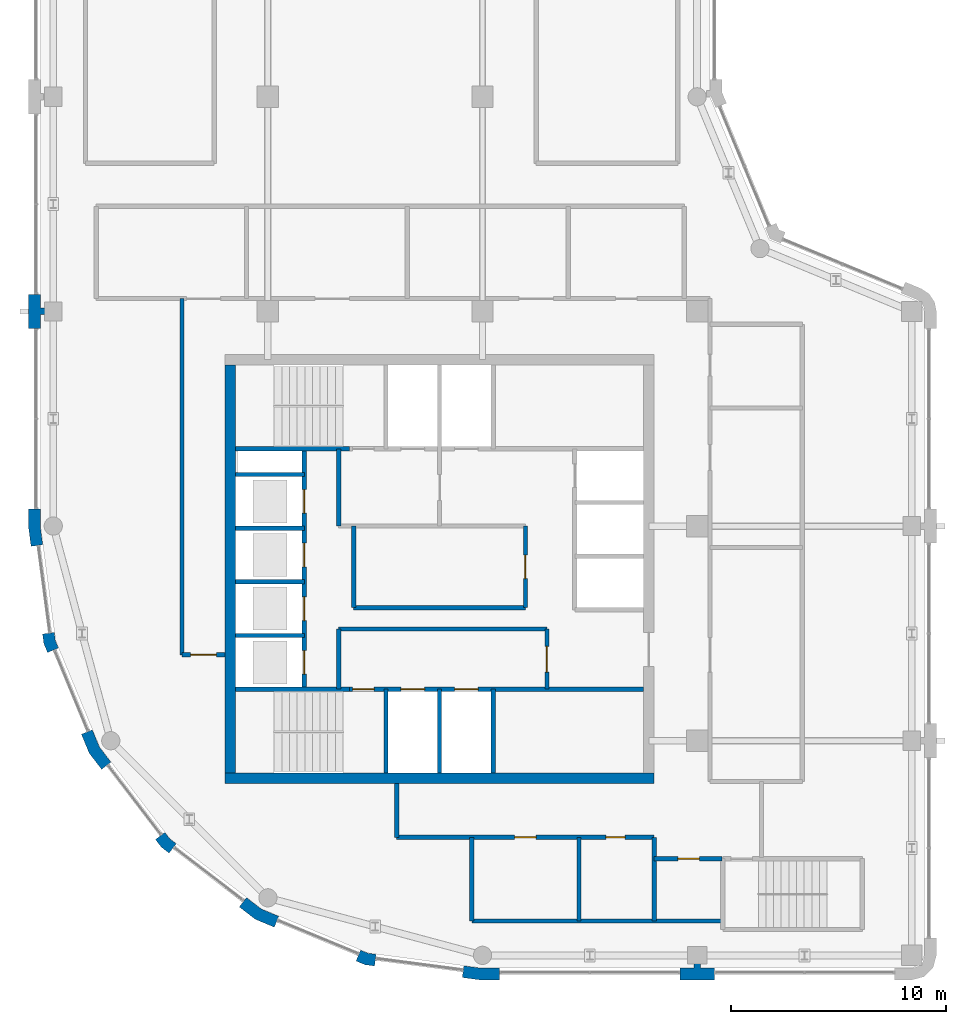
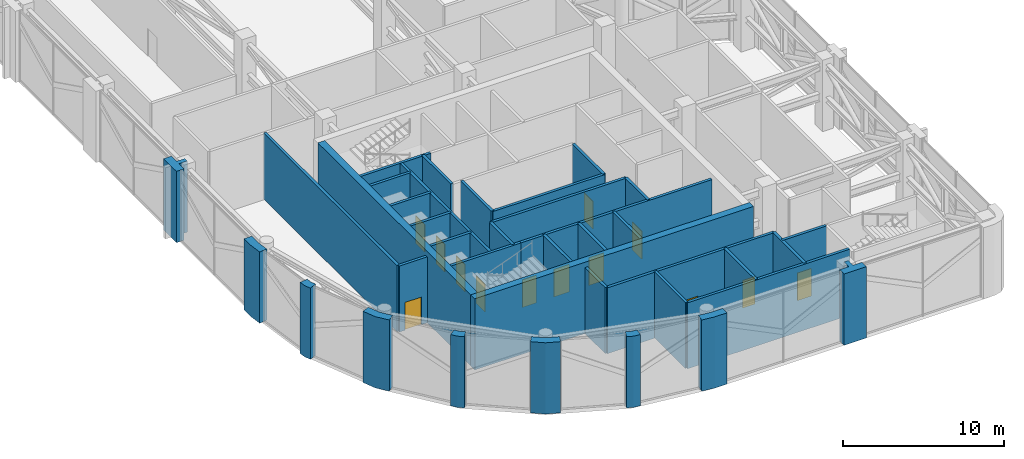
# One storey, part 13 of 18: 38 walls, 13 doors, 13 openings.
"""IFC4 building model written with IfcOpenShell, lengths in metres."""

from ifc_helpers import new_model, si_unit, direction, frame, frame_2d, origin, place, context, subcontext, project, spatial, polyline, rectangle, outline, extrude, material, layer, layer_set, type_object, element, fill, save


model = new_model("IFC4")

# Units and contexts
model_context = context("Model", 3, precision=1e-05, world=origin(), true_north=direction((0.0, 1.0)))
body_context = subcontext(model_context, "Body", "Model", "MODEL_VIEW")
ifc_project = project(units=[si_unit("LENGTHUNIT", "METRE"), si_unit("AREAUNIT", "SQUARE_METRE"), si_unit("VOLUMEUNIT", "CUBIC_METRE"), si_unit("PLANEANGLEUNIT", "RADIAN"), si_unit("MASSUNIT", "GRAM", prefix="KILO")], contexts=[model_context])

# Site, building, storey
site_placement = place(None, origin())
site = spatial("IfcSite", under=ifc_project, at=site_placement, CompositionType="ELEMENT")
building_placement = place(site_placement, origin())
building = spatial("IfcBuilding", under=site, at=building_placement, Name="Qaws Garden Tower", CompositionType="ELEMENT")
storey_placement = place(building_placement, frame((0.0, 0.0, 352.800048828125)))
storey = spatial("IfcBuildingStorey", under=building, at=storey_placement, Name="L86", CompositionType="ELEMENT", Elevation=352.800048828125)

# Walls
ifc_material_1 = material(Name="Clay facing brick masonry", Category="masonry")
ifc_layer_1 = layer(ifc_material_1, 0.550048828125)
ifc_layer_set_1 = layer_set([ifc_layer_1], Name="Clay facing brick masonry")
wall_type_1 = type_object("IfcWallType", Name="Brick kink pier 550 x 600", PredefinedType="SOLIDWALL", material=ifc_layer_set_1)
placement = place(storey_placement, origin())
element("IfcWall", 1, at=placement, inside=storey, type_object=wall_type_1, Name="E-L86-pier-22", PredefinedType="SOLIDWALL", context=body_context, shape_type="SweptSolid", body=[
    extrude(outline(polyline([(-0.34912109375, 14.990478515625), (-0.497802734375, 14.970947265625), (-0.43896484375, 14.5234375), (-0.26611328125, 14.1064453125), (-0.127685546875, 14.163818359375), (0.241943359375, 14.31689453125), (0.096923828125, 14.6669921875), (0.04736328125, 15.042724609375), (-0.34912109375, 14.990478515625)])), origin(), (0.0, 0.0, 1.0), 5.39990234375),
])
element("IfcWall", 2, at=placement, inside=storey, type_object=wall_type_1, Name="E-L86-pier-24", PredefinedType="SOLIDWALL", context=body_context, shape_type="SweptSolid", body=[
    extrude(outline(polyline([(4.8818359375, 5.487060546875), (4.762939453125, 5.395751953125), (5.03759765625, 5.03759765625), (5.395751953125, 4.762939453125), (5.487060546875, 4.8818359375), (5.730712890625, 5.19921875), (5.429931640625, 5.429931640625), (5.19921875, 5.730712890625), (4.8818359375, 5.487060546875)])), origin(), (0.0, 0.0, 1.0), 5.39990234375),
])
element("IfcWall", 3, at=placement, inside=storey, type_object=wall_type_1, Name="E-L86-pier-26", PredefinedType="SOLIDWALL", context=body_context, shape_type="SweptSolid", body=[
    extrude(outline(polyline([(14.163818359375, -0.127685546875), (14.1064453125, -0.26611328125), (14.5234375, -0.43896484375), (14.970947265625, -0.497802734375), (14.990478515625, -0.34912109375), (15.042724609375, 0.04736328125), (14.6669921875, 0.096923828125), (14.31689453125, 0.241943359375), (14.163818359375, -0.127685546875)])), origin(), (0.0, 0.0, 1.0), 5.39990234375),
])
ifc_material_2 = material(Name="Clay facing brick masonry", Category="masonry")
ifc_layer_2 = layer(ifc_material_2, 0.550048828125)
ifc_layer_set_2 = layer_set([ifc_layer_2], Name="Clay facing brick masonry")
wall_type_2 = type_object("IfcWallType", Name="Brick pier 550 x 1600", PredefinedType="SOLIDWALL", material=ifc_layer_set_2)
element("IfcWall", 4, at=placement, inside=storey, type_object=wall_type_2, Name="E-L86-pier-00", PredefinedType="SOLIDWALL", context=body_context, shape_type="SweptSolid", body=[
    extrude(outline(polyline([(19.076416015625, -0.886962890625), (19.056640625, -1.03564453125), (19.924560546875, -1.14990234375), (20.800048828125, -1.14990234375), (20.800048828125, -1.0), (20.800048828125, -0.60009765625), (19.960693359375, -0.60009765625), (19.12841796875, -0.490478515625), (19.076416015625, -0.886962890625)])), origin(), (0.0, 0.0, 1.0), 5.39990234375),
])
element("IfcWall", 5, at=placement, inside=storey, type_object=wall_type_2, Name="E-L86-pier-01", PredefinedType="SOLIDWALL", context=body_context, shape_type="SweptSolid", body=[
    extrude(outline(polyline([(30.800048828125, -0.60009765625), (30.14990234375, -0.60009765625), (30.14990234375, 0.0), (29.85009765625, 0.0), (29.85009765625, -0.60009765625), (29.199951171875, -0.60009765625), (29.199951171875, -1.0), (29.199951171875, -1.14990234375), (30.0, -1.14990234375), (30.800048828125, -1.14990234375), (30.800048828125, -1.0), (30.800048828125, -0.60009765625)])), origin(), (0.0, 0.0, 1.0), 5.39990234375),
])
element("IfcWall", 6, at=placement, inside=storey, type_object=wall_type_2, Name="E-L86-pier-20", PredefinedType="SOLIDWALL", context=body_context, shape_type="SweptSolid", body=[
    extrude(outline(polyline([(-0.60009765625, 29.199951171875), (-0.60009765625, 29.85009765625), (0.0, 29.85009765625), (0.0, 30.14990234375), (-0.60009765625, 30.14990234375), (-0.60009765625, 30.800048828125), (-1.0, 30.800048828125), (-1.14990234375, 30.800048828125), (-1.14990234375, 30.0), (-1.14990234375, 29.199951171875), (-1.0, 29.199951171875), (-0.60009765625, 29.199951171875)])), origin(), (0.0, 0.0, 1.0), 5.39990234375),
])
element("IfcWall", 7, at=placement, inside=storey, type_object=wall_type_2, Name="E-L86-pier-21", PredefinedType="SOLIDWALL", context=body_context, shape_type="SweptSolid", body=[
    extrude(outline(polyline([(-1.0, 20.800048828125), (-1.14990234375, 20.800048828125), (-1.14990234375, 19.924560546875), (-1.03564453125, 19.056640625), (-0.886962890625, 19.076416015625), (-0.490478515625, 19.12841796875), (-0.60009765625, 19.960693359375), (-0.60009765625, 20.800048828125), (-1.0, 20.800048828125)])), origin(), (0.0, 0.0, 1.0), 5.39990234375),
])
element("IfcWall", 8, at=placement, inside=storey, type_object=wall_type_2, Name="E-L86-pier-23", PredefinedType="SOLIDWALL", context=body_context, shape_type="SweptSolid", body=[
    extrude(outline(polyline([(1.449462890625, 10.3564453125), (1.310791015625, 10.299072265625), (1.675048828125, 9.419921875), (2.254150390625, 8.665283203125), (2.373046875, 8.756591796875), (2.6904296875, 9.0), (2.1552734375, 9.697509765625), (1.819091796875, 10.509521484375), (1.449462890625, 10.3564453125)])), origin(), (0.0, 0.0, 1.0), 5.39990234375),
])
element("IfcWall", 9, at=placement, inside=storey, type_object=wall_type_2, Name="E-L86-pier-25", PredefinedType="SOLIDWALL", context=body_context, shape_type="SweptSolid", body=[
    extrude(outline(polyline([(8.756591796875, 2.373046875), (8.665283203125, 2.254150390625), (9.419921875, 1.675048828125), (10.299072265625, 1.310791015625), (10.3564453125, 1.449462890625), (10.509521484375, 1.819091796875), (9.697509765625, 2.1552734375), (9.0, 2.6904296875), (8.756591796875, 2.373046875)])), origin(), (0.0, 0.0, 1.0), 5.39990234375),
])
ifc_material_3 = material(Name="Concrete C60", Category="concrete")
ifc_layer_3 = layer(ifc_material_3, 0.199951171875)
ifc_layer_set_3 = layer_set([ifc_layer_3], Name="Concrete C60")
wall_type_3 = type_object("IfcWallType", Name="Core shaft wall 200 C60", PredefinedType="SHEAR", material=ifc_layer_set_3)
wall_10_placement = place(storey_placement, frame((8.5, 12.39990234375, 0.0), z_axis=(0.0, 0.0, 1.0), x_axis=(1.0, 0.0, 0.0)))
element("IfcWall", 10, at=wall_10_placement, inside=storey, type_object=wall_type_3, Name="Shaft wall", PredefinedType="SHEAR", context=body_context, shape_type="SweptSolid", body=[
    extrude(rectangle(XDim=5.300048828125, YDim=0.199951171875, at=frame_2d((2.64990234375, 0.0))), origin(), (0.0, 0.0, 1.0), 5.0),
])

# Wall, openings, doors
wall_11_placement = place(storey_placement, frame((13.800048828125, 12.39990234375, 0.0), z_axis=(0.0, 0.0, 1.0), x_axis=(1.0, 0.0, 0.0)))
wall_11 = element("IfcWall", 11, at=wall_11_placement, inside=storey, type_object=wall_type_3, Name="Shaft wall", PredefinedType="SHEAR", context=body_context, shape_type="SweptSolid", body=[
    extrude(rectangle(XDim=13.699951171875, YDim=0.199951171875, at=frame_2d((6.85009765625, 0.0))), origin(), (0.0, 0.0, 1.0), 5.0),
])
opening_1_placement = place(wall_11_placement, frame((2.39990234375, 0.0, 0.0)))
opening_1 = element("IfcOpeningElement", 12, at=opening_1_placement, cuts=wall_11, Name="Opening LD06", PredefinedType="OPENING", context=body_context, shape_type="SweptSolid", body=[
    extrude(rectangle(XDim=1.10009765625, YDim=2.10009765625, at=frame_2d((0.550048828125, 1.050048828125))), frame((0.0, 0.10986328125, 0.0), z_axis=(0.0, -1.0, 0.0), x_axis=(1.0, 0.0, 0.0)), (0.0, 0.0, 1.0), 0.219970703125),
])
opening_2_placement = place(wall_11_placement, frame((4.89990234375, 0.0, 0.0)))
opening_2 = element("IfcOpeningElement", 13, at=opening_2_placement, cuts=wall_11, Name="Opening LD07", PredefinedType="OPENING", context=body_context, shape_type="SweptSolid", body=[
    extrude(rectangle(XDim=1.10009765625, YDim=2.10009765625, at=frame_2d((0.550048828125, 1.050048828125))), frame((0.0, 0.10986328125, 0.0), z_axis=(0.0, -1.0, 0.0), x_axis=(1.0, 0.0, 0.0)), (0.0, 0.0, 1.0), 0.219970703125),
])
opening_3_placement = place(wall_11_placement, frame((0.14990234375, 0.0, 0.0)))
opening_3 = element("IfcOpeningElement", 14, at=opening_3_placement, cuts=wall_11, Name="Opening SD10", PredefinedType="OPENING", context=body_context, shape_type="SweptSolid", body=[
    extrude(rectangle(XDim=1.0, YDim=2.10009765625, at=frame_2d((0.5, 1.050048828125))), frame((0.0, 0.10986328125, 0.0), z_axis=(0.0, -1.0, 0.0), x_axis=(1.0, 0.0, 0.0)), (0.0, 0.0, 1.0), 0.219970703125),
])
ifc_material_4 = material(Name="Steel S235", Category="steel")
door_type_1 = type_object("IfcDoorType", Name="Landing door 1100x2100", OperationType="DOUBLE_DOOR_SLIDING", PredefinedType="DOOR", material=ifc_material_4)
door_1_placement = place(opening_1_placement, origin())
door_1 = element("IfcDoor", 15, at=door_1_placement, inside=storey, type_object=door_type_1, Name="Lift FF1 landing door", OperationType="DOUBLE_DOOR_SLIDING", OverallHeight=2.10009765625, OverallWidth=1.10009765625, PredefinedType="DOOR", context=body_context, shape_type="SweptSolid", body=[
    extrude(rectangle(XDim=1.10009765625, YDim=2.10009765625, at=frame_2d((0.550048828125, 1.050048828125))), frame((0.0, 0.02490234375, 0.0), z_axis=(0.0, -1.0, 0.0), x_axis=(1.0, 0.0, 0.0)), (0.0, 0.0, 1.0), 0.050048828125),
])
fill(opening_1, door_1)
door_2_placement = place(opening_2_placement, origin())
door_2 = element("IfcDoor", 16, at=door_2_placement, inside=storey, type_object=door_type_1, Name="Lift FF2 landing door", OperationType="DOUBLE_DOOR_SLIDING", OverallHeight=2.10009765625, OverallWidth=1.10009765625, PredefinedType="DOOR", context=body_context, shape_type="SweptSolid", body=[
    extrude(rectangle(XDim=1.10009765625, YDim=2.10009765625, at=frame_2d((0.550048828125, 1.050048828125))), frame((0.0, 0.02490234375, 0.0), z_axis=(0.0, -1.0, 0.0), x_axis=(1.0, 0.0, 0.0)), (0.0, 0.0, 1.0), 0.050048828125),
])
fill(opening_2, door_2)
ifc_material_5 = material(Name="Steel S235", Category="steel")
door_type_2 = type_object("IfcDoorType", Name="Stair door 1000x2100", OperationType="SINGLE_SWING_RIGHT", PredefinedType="DOOR", material=ifc_material_5)
door_3_placement = place(opening_3_placement, origin())
door_3 = element("IfcDoor", 17, at=door_3_placement, inside=storey, type_object=door_type_2, Name="Stair 1 door", OperationType="SINGLE_SWING_LEFT", OverallHeight=2.10009765625, OverallWidth=1.0, PredefinedType="DOOR", context=body_context, shape_type="SweptSolid", body=[
    extrude(rectangle(XDim=1.0, YDim=2.10009765625, at=frame_2d((0.5, 1.050048828125))), frame((0.0, 0.02490234375, 0.0), z_axis=(0.0, -1.0, 0.0), x_axis=(1.0, 0.0, 0.0)), (0.0, 0.0, 1.0), 0.050048828125),
])
fill(opening_3, door_3)

# Walls
wall_12_placement = place(storey_placement, frame((8.5, 14.89990234375, 0.0), z_axis=(0.0, 0.0, 1.0), x_axis=(1.0, 0.0, 0.0)))
element("IfcWall", 18, at=wall_12_placement, inside=storey, type_object=wall_type_3, Name="Shaft wall", PredefinedType="SHEAR", context=body_context, shape_type="SweptSolid", body=[
    extrude(rectangle(XDim=3.199951171875, YDim=0.199951171875, at=frame_2d((1.60009765625, 0.0))), origin(), (0.0, 0.0, 1.0), 5.0),
])
wall_13_placement = place(storey_placement, frame((13.300048828125, 15.199951171875, 0.0), z_axis=(0.0, 0.0, 1.0), x_axis=(1.0, 0.0, 0.0)))
element("IfcWall", 19, at=wall_13_placement, inside=storey, type_object=wall_type_3, Name="Shaft wall", PredefinedType="SHEAR", context=body_context, shape_type="SweptSolid", body=[
    extrude(rectangle(XDim=9.699951171875, YDim=0.199951171875, at=frame_2d((4.85009765625, 0.0))), origin(), (0.0, 0.0, 1.0), 5.0),
])
wall_14_placement = place(storey_placement, frame((14.0, 16.199951171875, 0.0), z_axis=(0.0, 0.0, 1.0), x_axis=(1.0, 0.0, 0.0)))
element("IfcWall", 20, at=wall_14_placement, inside=storey, type_object=wall_type_3, Name="Shaft wall", PredefinedType="SHEAR", context=body_context, shape_type="SweptSolid", body=[
    extrude(rectangle(XDim=8.0, YDim=0.199951171875, at=frame_2d((4.0, 0.0))), origin(), (0.0, 0.0, 1.0), 5.0),
])
for number, where, z_axis, x_axis, name in (
    (21, (8.5, 17.39990234375, 0.0), (0.0, 0.0, 1.0), (1.0, 0.0, 0.0), "Shaft wall"),
    (22, (8.5, 19.89990234375, 0.0), (0.0, 0.0, 1.0), (1.0, 0.0, 0.0), "Shaft wall"),
    (23, (8.5, 22.39990234375, 0.0), (0.0, 0.0, 1.0), (1.0, 0.0, 0.0), "Shaft wall"),
):
    element("IfcWall", number, at=place(storey_placement, frame(where, z_axis=z_axis, x_axis=x_axis)), inside=storey, type_object=wall_type_3, Name=name, PredefinedType="SHEAR", context=body_context, shape_type="SweptSolid", body=[
        extrude(rectangle(XDim=3.199951171875, YDim=0.199951171875, at=frame_2d((1.60009765625, 0.0))), origin(), (0.0, 0.0, 1.0), 5.0),
    ])
wall_15_placement = place(storey_placement, frame((8.5, 23.60009765625, 0.0), z_axis=(0.0, 0.0, 1.0), x_axis=(1.0, 0.0, 0.0)))
element("IfcWall", 24, at=wall_15_placement, inside=storey, type_object=wall_type_3, Name="Shaft wall", PredefinedType="SHEAR", context=body_context, shape_type="SweptSolid", body=[
    extrude(rectangle(XDim=5.300048828125, YDim=0.199951171875, at=frame_2d((2.64990234375, 0.0))), origin(), (0.0, 0.0, 1.0), 5.0),
])

# Wall, openings, doors
wall_16_placement = place(storey_placement, frame((11.699951171875, 12.39990234375, 0.0), z_axis=(0.0, 0.0, 1.0), x_axis=(0.0, 1.0, 0.0)))
wall_16 = element("IfcWall", 25, at=wall_16_placement, inside=storey, type_object=wall_type_3, Name="Shaft wall", PredefinedType="SHEAR", context=body_context, shape_type="SweptSolid", body=[
    extrude(rectangle(XDim=11.2001953125, YDim=0.199951171875, at=frame_2d((5.60009765625, 0.0))), origin(), (0.0, 0.0, 1.0), 5.0),
])
opening_4_placement = place(wall_16_placement, frame((0.699951171875, 0.0, 0.0)))
opening_4 = element("IfcOpeningElement", 26, at=opening_4_placement, cuts=wall_16, Name="Opening LD01", PredefinedType="OPENING", context=body_context, shape_type="SweptSolid", body=[
    extrude(rectangle(XDim=1.10009765625, YDim=2.10009765625, at=frame_2d((0.550048828125, 1.050048828125))), frame((0.0, 0.10986328125, 0.0), z_axis=(0.0, -1.0, 0.0), x_axis=(1.0, 0.0, 0.0)), (0.0, 0.0, 1.0), 0.219970703125),
])
opening_5_placement = place(wall_16_placement, frame((3.199951171875, 0.0, 0.0)))
opening_5 = element("IfcOpeningElement", 27, at=opening_5_placement, cuts=wall_16, Name="Opening LD02", PredefinedType="OPENING", context=body_context, shape_type="SweptSolid", body=[
    extrude(rectangle(XDim=1.10009765625, YDim=2.10009765625, at=frame_2d((0.550048828125, 1.050048828125))), frame((0.0, 0.10986328125, 0.0), z_axis=(0.0, -1.0, 0.0), x_axis=(1.0, 0.0, 0.0)), (0.0, 0.0, 1.0), 0.219970703125),
])
opening_6_placement = place(wall_16_placement, frame((5.699951171875, 0.0, 0.0)))
opening_6 = element("IfcOpeningElement", 28, at=opening_6_placement, cuts=wall_16, Name="Opening LD03", PredefinedType="OPENING", context=body_context, shape_type="SweptSolid", body=[
    extrude(rectangle(XDim=1.10009765625, YDim=2.10009765625, at=frame_2d((0.550048828125, 1.050048828125))), frame((0.0, 0.10986328125, 0.0), z_axis=(0.0, -1.0, 0.0), x_axis=(1.0, 0.0, 0.0)), (0.0, 0.0, 1.0), 0.219970703125),
])
opening_7_placement = place(wall_16_placement, frame((8.199951171875, 0.0, 0.0)))
opening_7 = element("IfcOpeningElement", 29, at=opening_7_placement, cuts=wall_16, Name="Opening LD04", PredefinedType="OPENING", context=body_context, shape_type="SweptSolid", body=[
    extrude(rectangle(XDim=1.10009765625, YDim=2.10009765625, at=frame_2d((0.550048828125, 1.050048828125))), frame((0.0, 0.10986328125, 0.0), z_axis=(0.0, -1.0, 0.0), x_axis=(1.0, 0.0, 0.0)), (0.0, 0.0, 1.0), 0.219970703125),
])
door_4_placement = place(opening_4_placement, origin())
door_4 = element("IfcDoor", 30, at=door_4_placement, inside=storey, type_object=door_type_1, Name="Lift W1 landing door", OperationType="DOUBLE_DOOR_SLIDING", OverallHeight=2.10009765625, OverallWidth=1.10009765625, PredefinedType="DOOR", context=body_context, shape_type="SweptSolid", body=[
    extrude(rectangle(XDim=1.10009765625, YDim=2.10009765625, at=frame_2d((0.550048828125, 1.050048828125))), frame((0.0, 0.02490234375, 0.0), z_axis=(0.0, -1.0, 0.0), x_axis=(1.0, 0.0, 0.0)), (0.0, 0.0, 1.0), 0.050048828125),
])
fill(opening_4, door_4)
door_5_placement = place(opening_5_placement, origin())
door_5 = element("IfcDoor", 31, at=door_5_placement, inside=storey, type_object=door_type_1, Name="Lift W2 landing door", OperationType="DOUBLE_DOOR_SLIDING", OverallHeight=2.10009765625, OverallWidth=1.10009765625, PredefinedType="DOOR", context=body_context, shape_type="SweptSolid", body=[
    extrude(rectangle(XDim=1.10009765625, YDim=2.10009765625, at=frame_2d((0.550048828125, 1.050048828125))), frame((0.0, 0.02490234375, 0.0), z_axis=(0.0, -1.0, 0.0), x_axis=(1.0, 0.0, 0.0)), (0.0, 0.0, 1.0), 0.050048828125),
])
fill(opening_5, door_5)
door_6_placement = place(opening_6_placement, origin())
door_6 = element("IfcDoor", 32, at=door_6_placement, inside=storey, type_object=door_type_1, Name="Lift W3 landing door", OperationType="DOUBLE_DOOR_SLIDING", OverallHeight=2.10009765625, OverallWidth=1.10009765625, PredefinedType="DOOR", context=body_context, shape_type="SweptSolid", body=[
    extrude(rectangle(XDim=1.10009765625, YDim=2.10009765625, at=frame_2d((0.550048828125, 1.050048828125))), frame((0.0, 0.02490234375, 0.0), z_axis=(0.0, -1.0, 0.0), x_axis=(1.0, 0.0, 0.0)), (0.0, 0.0, 1.0), 0.050048828125),
])
fill(opening_6, door_6)
door_7_placement = place(opening_7_placement, origin())
door_7 = element("IfcDoor", 33, at=door_7_placement, inside=storey, type_object=door_type_1, Name="Lift W4 landing door", OperationType="DOUBLE_DOOR_SLIDING", OverallHeight=2.10009765625, OverallWidth=1.10009765625, PredefinedType="DOOR", context=body_context, shape_type="SweptSolid", body=[
    extrude(rectangle(XDim=1.10009765625, YDim=2.10009765625, at=frame_2d((0.550048828125, 1.050048828125))), frame((0.0, 0.02490234375, 0.0), z_axis=(0.0, -1.0, 0.0), x_axis=(1.0, 0.0, 0.0)), (0.0, 0.0, 1.0), 0.050048828125),
])
fill(opening_7, door_7)

# Walls
wall_17_placement = place(storey_placement, frame((13.300048828125, 12.39990234375, 0.0), z_axis=(0.0, 0.0, 1.0), x_axis=(0.0, 1.0, 0.0)))
element("IfcWall", 34, at=wall_17_placement, inside=storey, type_object=wall_type_3, Name="Shaft wall", PredefinedType="SHEAR", context=body_context, shape_type="SweptSolid", body=[
    extrude(rectangle(XDim=2.800048828125, YDim=0.199951171875, at=frame_2d((1.39990234375, 0.0))), origin(), (0.0, 0.0, 1.0), 5.0),
])
wall_18_placement = place(storey_placement, frame((13.300048828125, 20.0, 0.0), z_axis=(0.0, 0.0, 1.0), x_axis=(0.0, 1.0, 0.0)))
element("IfcWall", 35, at=wall_18_placement, inside=storey, type_object=wall_type_3, Name="Shaft wall", PredefinedType="SHEAR", context=body_context, shape_type="SweptSolid", body=[
    extrude(rectangle(XDim=3.60009765625, YDim=0.199951171875, at=frame_2d((1.800048828125, 0.0))), origin(), (0.0, 0.0, 1.0), 5.0),
])
wall_19_placement = place(storey_placement, frame((14.0, 16.199951171875, 0.0), z_axis=(0.0, 0.0, 1.0), x_axis=(0.0, 1.0, 0.0)))
element("IfcWall", 36, at=wall_19_placement, inside=storey, type_object=wall_type_3, Name="Shaft wall", PredefinedType="SHEAR", context=body_context, shape_type="SweptSolid", body=[
    extrude(rectangle(XDim=3.800048828125, YDim=0.199951171875, at=frame_2d((1.89990234375, 0.0))), origin(), (0.0, 0.0, 1.0), 5.0),
])
for number, where, z_axis, x_axis, name in (
    (37, (15.5, 8.5, 0.0), (0.0, 0.0, 1.0), (0.0, 1.0, 0.0), "Shaft wall"),
    (38, (18.0, 8.5, 0.0), (0.0, 0.0, 1.0), (0.0, 1.0, 0.0), "Shaft wall"),
    (39, (20.5, 8.5, 0.0), (0.0, 0.0, 1.0), (0.0, 1.0, 0.0), "Shaft wall"),
):
    element("IfcWall", number, at=place(storey_placement, frame(where, z_axis=z_axis, x_axis=x_axis)), inside=storey, type_object=wall_type_3, Name=name, PredefinedType="SHEAR", context=body_context, shape_type="SweptSolid", body=[
        extrude(rectangle(XDim=3.89990234375, YDim=0.199951171875, at=frame_2d((1.949951171875, 0.0))), origin(), (0.0, 0.0, 1.0), 5.0),
    ])

# Wall, opening, door
wall_20_placement = place(storey_placement, frame((22.0, 16.199951171875, 0.0), z_axis=(0.0, 0.0, 1.0), x_axis=(0.0, 1.0, 0.0)))
wall_20 = element("IfcWall", 40, at=wall_20_placement, inside=storey, type_object=wall_type_3, Name="Shaft wall", PredefinedType="SHEAR", context=body_context, shape_type="SweptSolid", body=[
    extrude(rectangle(XDim=3.800048828125, YDim=0.199951171875, at=frame_2d((1.89990234375, 0.0))), origin(), (0.0, 0.0, 1.0), 5.0),
])
opening_8_placement = place(wall_20_placement, frame((1.35009765625, 0.0, 0.0)))
opening_8 = element("IfcOpeningElement", 41, at=opening_8_placement, cuts=wall_20, Name="Opening XD17", PredefinedType="OPENING", context=body_context, shape_type="SweptSolid", body=[
    extrude(rectangle(XDim=1.10009765625, YDim=2.10009765625, at=frame_2d((0.550048828125, 1.050048828125))), frame((0.0, 0.10986328125, 0.0), z_axis=(0.0, -1.0, 0.0), x_axis=(1.0, 0.0, 0.0)), (0.0, 0.0, 1.0), 0.219970703125),
])
ifc_material_6 = material(Name="Timber", Category="wood")
door_type_3 = type_object("IfcDoorType", Name="WC lobby door 1100x2100", OperationType="SINGLE_SWING_LEFT", PredefinedType="DOOR", material=ifc_material_6)
door_8_placement = place(opening_8_placement, origin())
door_8 = element("IfcDoor", 42, at=door_8_placement, inside=storey, type_object=door_type_3, Name="Plant room door", OperationType="SINGLE_SWING_RIGHT", OverallHeight=2.10009765625, OverallWidth=1.10009765625, PredefinedType="DOOR", context=body_context, shape_type="SweptSolid", body=[
    extrude(rectangle(XDim=1.10009765625, YDim=2.10009765625, at=frame_2d((0.550048828125, 1.050048828125))), frame((0.0, 0.02490234375, 0.0), z_axis=(0.0, -1.0, 0.0), x_axis=(1.0, 0.0, 0.0)), (0.0, 0.0, 1.0), 0.050048828125),
])
fill(opening_8, door_8)

wall_21_placement = place(storey_placement, frame((23.0, 12.39990234375, 0.0), z_axis=(0.0, 0.0, 1.0), x_axis=(0.0, 1.0, 0.0)))
wall_21 = element("IfcWall", 43, at=wall_21_placement, inside=storey, type_object=wall_type_3, Name="Shaft wall", PredefinedType="SHEAR", context=body_context, shape_type="SweptSolid", body=[
    extrude(rectangle(XDim=2.800048828125, YDim=0.199951171875, at=frame_2d((1.39990234375, 0.0))), origin(), (0.0, 0.0, 1.0), 5.0),
])
opening_9_placement = place(wall_21_placement, frame((0.800048828125, 0.0, 0.0)))
opening_9 = element("IfcOpeningElement", 44, at=opening_9_placement, cuts=wall_21, Name="Opening FD15", PredefinedType="OPENING", context=body_context, shape_type="SweptSolid", body=[
    extrude(rectangle(XDim=1.199951171875, YDim=2.10009765625, at=frame_2d((0.60009765625, 1.050048828125))), frame((0.0, 0.10986328125, 0.0), z_axis=(0.0, -1.0, 0.0), x_axis=(1.0, 0.0, 0.0)), (0.0, 0.0, 1.0), 0.219970703125),
])
ifc_material_7 = material(Name="Steel S235", Category="steel")
door_type_4 = type_object("IfcDoorType", Name="Lobby door 1200x2100", OperationType="DOUBLE_DOOR_SINGLE_SWING", PredefinedType="DOOR", material=ifc_material_7)
door_9_placement = place(opening_9_placement, origin())
door_9 = element("IfcDoor", 45, at=door_9_placement, inside=storey, type_object=door_type_4, Name="Fire-fighting lobby door", OperationType="DOUBLE_DOOR_SINGLE_SWING", OverallHeight=2.10009765625, OverallWidth=1.199951171875, PredefinedType="DOOR", context=body_context, shape_type="SweptSolid", body=[
    extrude(rectangle(XDim=1.199951171875, YDim=2.10009765625, at=frame_2d((0.60009765625, 1.050048828125))), frame((0.0, 0.02490234375, 0.0), z_axis=(0.0, -1.0, 0.0), x_axis=(1.0, 0.0, 0.0)), (0.0, 0.0, 1.0), 0.050048828125),
])
fill(opening_9, door_9)

# Walls
ifc_material_8 = material(Name="Concrete C60", Category="concrete")
ifc_layer_4 = layer(ifc_material_8, 0.5)
ifc_layer_set_4 = layer_set([ifc_layer_4], Name="Concrete C60")
wall_type_4 = type_object("IfcWallType", Name="Core wall 500 C60", PredefinedType="SHEAR", material=ifc_layer_set_4)
wall_22_placement = place(storey_placement, frame((8.0, 8.25, 0.0), z_axis=(0.0, 0.0, 1.0), x_axis=(1.0, 0.0, 0.0)))
element("IfcWall", 46, at=wall_22_placement, inside=storey, type_object=wall_type_4, Name="Core wall L86 south", PredefinedType="SHEAR", context=body_context, shape_type="SweptSolid", body=[
    extrude(rectangle(XDim=20.0, YDim=0.5, at=frame_2d((10.0, 0.0))), origin(), (0.0, 0.0, 1.0), 5.39990234375),
])
wall_23_placement = place(storey_placement, frame((8.25, 27.5, 0.0), z_axis=(0.0, 0.0, 1.0), x_axis=(0.0, -1.0, 0.0)))
element("IfcWall", 47, at=wall_23_placement, inside=storey, type_object=wall_type_4, Name="Core wall L86 west", PredefinedType="SHEAR", context=body_context, shape_type="SweptSolid", body=[
    extrude(rectangle(XDim=19.0, YDim=0.5, at=frame_2d((9.5, 0.0))), origin(), (0.0, 0.0, 1.0), 5.39990234375),
])

# Wall, opening, door
ifc_material_9 = material(Name="Blockwork", Category="masonry")
ifc_layer_5 = layer(ifc_material_9, 0.199951171875)
ifc_layer_set_5 = layer_set([ifc_layer_5], Name="Blockwork")
wall_type_5 = type_object("IfcWallType", Name="Plant compartment wall 200", PredefinedType="PARTITIONING", material=ifc_layer_set_5)
wall_24_placement = place(storey_placement, frame((6.0, 14.0, 0.0), z_axis=(0.0, 0.0, 1.0), x_axis=(1.0, 0.0, 0.0)))
wall_24 = element("IfcWall", 48, at=wall_24_placement, inside=storey, type_object=wall_type_5, Name="Plant zone wall", PredefinedType="PARTITIONING", context=body_context, shape_type="SweptSolid", body=[
    extrude(rectangle(XDim=2.0, YDim=0.199951171875, at=frame_2d((1.0, 0.0))), origin(), (0.0, 0.0, 1.0), 5.0),
])
opening_10_placement = place(wall_24_placement, frame((0.39990234375, 0.0, 0.0)))
opening_10 = element("IfcOpeningElement", 49, at=opening_10_placement, cuts=wall_24, Name="Opening PZ8616", PredefinedType="OPENING", context=body_context, shape_type="SweptSolid", body=[
    extrude(rectangle(XDim=1.199951171875, YDim=2.10009765625, at=frame_2d((0.60009765625, 1.050048828125))), frame((0.0, 0.10986328125, 0.0), z_axis=(0.0, -1.0, 0.0), x_axis=(1.0, 0.0, 0.0)), (0.0, 0.0, 1.0), 0.219970703125),
])
ifc_material_10 = material(Name="Steel S235", Category="steel")
door_type_5 = type_object("IfcDoorType", Name="Plant door 1200x2100", OperationType="DOUBLE_DOOR_SINGLE_SWING", PredefinedType="DOOR", material=ifc_material_10)
door_10_placement = place(opening_10_placement, frame((1.199951171875, 0.0, 0.0), z_axis=(0.0, 0.0, 1.0), x_axis=(-1.0, 0.0, 0.0)))
door_10 = element("IfcDoor", 50, at=door_10_placement, inside=storey, type_object=door_type_5, Name="Plant corridor door to the open floor", OperationType="DOUBLE_DOOR_SINGLE_SWING", OverallHeight=2.10009765625, OverallWidth=1.199951171875, PredefinedType="DOOR", context=body_context, shape_type="SweptSolid", body=[
    extrude(rectangle(XDim=1.199951171875, YDim=2.10009765625, at=frame_2d((0.60009765625, 1.050048828125))), frame((0.0, 0.02490234375, 0.0), z_axis=(0.0, -1.0, 0.0), x_axis=(1.0, 0.0, 0.0)), (0.0, 0.0, 1.0), 0.050048828125),
])
fill(opening_10, door_10)

# Wall, openings, doors
wall_25_placement = place(storey_placement, frame((16.0, 5.5, 0.0), z_axis=(0.0, 0.0, 1.0), x_axis=(1.0, 0.0, 0.0)))
wall_25 = element("IfcWall", 51, at=wall_25_placement, inside=storey, type_object=wall_type_5, Name="Plant zone wall", PredefinedType="PARTITIONING", context=body_context, shape_type="SweptSolid", body=[
    extrude(rectangle(XDim=12.0, YDim=0.199951171875, at=frame_2d((6.0, 0.0))), origin(), (0.0, 0.0, 1.0), 5.0),
])
opening_11_placement = place(wall_25_placement, frame((5.5, 0.0, 0.0)))
opening_11 = element("IfcOpeningElement", 52, at=opening_11_placement, cuts=wall_25, Name="Opening PZ8608", PredefinedType="OPENING", context=body_context, shape_type="SweptSolid", body=[
    extrude(rectangle(XDim=1.0, YDim=2.10009765625, at=frame_2d((0.5, 1.050048828125))), frame((0.0, 0.10986328125, 0.0), z_axis=(0.0, -1.0, 0.0), x_axis=(1.0, 0.0, 0.0)), (0.0, 0.0, 1.0), 0.219970703125),
])
opening_12_placement = place(wall_25_placement, frame((9.75, 0.0, 0.0)))
opening_12 = element("IfcOpeningElement", 53, at=opening_12_placement, cuts=wall_25, Name="Opening PZ8609", PredefinedType="OPENING", context=body_context, shape_type="SweptSolid", body=[
    extrude(rectangle(XDim=0.89990234375, YDim=2.10009765625, at=frame_2d((0.449951171875, 1.050048828125))), frame((0.0, 0.10986328125, 0.0), z_axis=(0.0, -1.0, 0.0), x_axis=(1.0, 0.0, 0.0)), (0.0, 0.0, 1.0), 0.219970703125),
])
ifc_material_11 = material(Name="Steel S235", Category="steel")
door_type_6 = type_object("IfcDoorType", Name="Plant door 1000x2100", OperationType="SINGLE_SWING_LEFT", PredefinedType="DOOR", material=ifc_material_11)
door_11_placement = place(opening_11_placement, frame((1.0, 0.0, 0.0), z_axis=(0.0, 0.0, 1.0), x_axis=(-1.0, 0.0, 0.0)))
door_11 = element("IfcDoor", 54, at=door_11_placement, inside=storey, type_object=door_type_6, Name="Tank room door", OperationType="SINGLE_SWING_LEFT", OverallHeight=2.10009765625, OverallWidth=1.0, PredefinedType="DOOR", context=body_context, shape_type="SweptSolid", body=[
    extrude(rectangle(XDim=1.0, YDim=2.10009765625, at=frame_2d((0.5, 1.050048828125))), frame((0.0, 0.02490234375, 0.0), z_axis=(0.0, -1.0, 0.0), x_axis=(1.0, 0.0, 0.0)), (0.0, 0.0, 1.0), 0.050048828125),
])
fill(opening_11, door_11)
ifc_material_12 = material(Name="Steel S235", Category="steel")
door_type_7 = type_object("IfcDoorType", Name="Plant door 900x2100", OperationType="SINGLE_SWING_LEFT", PredefinedType="DOOR", material=ifc_material_12)
door_12_placement = place(opening_12_placement, frame((0.89990234375, 0.0, 0.0), z_axis=(0.0, 0.0, 1.0), x_axis=(-1.0, 0.0, 0.0)))
door_12 = element("IfcDoor", 55, at=door_12_placement, inside=storey, type_object=door_type_7, Name="Plant store door", OperationType="SINGLE_SWING_RIGHT", OverallHeight=2.10009765625, OverallWidth=0.89990234375, PredefinedType="DOOR", context=body_context, shape_type="SweptSolid", body=[
    extrude(rectangle(XDim=0.89990234375, YDim=2.10009765625, at=frame_2d((0.449951171875, 1.050048828125))), frame((0.0, 0.02490234375, 0.0), z_axis=(0.0, -1.0, 0.0), x_axis=(1.0, 0.0, 0.0)), (0.0, 0.0, 1.0), 0.050048828125),
])
fill(opening_12, door_12)

# Wall
wall_26_placement = place(storey_placement, frame((19.5, 1.60009765625, 0.0), z_axis=(0.0, 0.0, 1.0), x_axis=(1.0, 0.0, 0.0)))
element("IfcWall", 56, at=wall_26_placement, inside=storey, type_object=wall_type_5, Name="Plant zone wall", PredefinedType="PARTITIONING", context=body_context, shape_type="SweptSolid", body=[
    extrude(rectangle(XDim=11.64990234375, YDim=0.199951171875, at=frame_2d((5.824951171875, 0.0))), origin(), (0.0, 0.0, 1.0), 5.0),
])

# Wall, opening, door
wall_27_placement = place(storey_placement, frame((28.0, 4.5, 0.0), z_axis=(0.0, 0.0, 1.0), x_axis=(1.0, 0.0, 0.0)))
wall_27 = element("IfcWall", 57, at=wall_27_placement, inside=storey, type_object=wall_type_5, Name="Plant zone wall", PredefinedType="PARTITIONING", context=body_context, shape_type="SweptSolid", body=[
    extrude(rectangle(XDim=3.14990234375, YDim=0.199951171875, at=frame_2d((1.574951171875, 0.0))), origin(), (0.0, 0.0, 1.0), 5.0),
])
opening_13_placement = place(wall_27_placement, frame((1.10009765625, 0.0, 0.0)))
opening_13 = element("IfcOpeningElement", 58, at=opening_13_placement, cuts=wall_27, Name="Opening PZ8610", PredefinedType="OPENING", context=body_context, shape_type="SweptSolid", body=[
    extrude(rectangle(XDim=1.0, YDim=2.10009765625, at=frame_2d((0.5, 1.050048828125))), frame((0.0, 0.10986328125, 0.0), z_axis=(0.0, -1.0, 0.0), x_axis=(1.0, 0.0, 0.0)), (0.0, 0.0, 1.0), 0.219970703125),
])
door_13_placement = place(opening_13_placement, frame((1.0, 0.0, 0.0), z_axis=(0.0, 0.0, 1.0), x_axis=(-1.0, 0.0, 0.0)))
door_13 = element("IfcDoor", 59, at=door_13_placement, inside=storey, type_object=door_type_6, Name="Boiler plant room door", OperationType="SINGLE_SWING_LEFT", OverallHeight=2.10009765625, OverallWidth=1.0, PredefinedType="DOOR", context=body_context, shape_type="SweptSolid", body=[
    extrude(rectangle(XDim=1.0, YDim=2.10009765625, at=frame_2d((0.5, 1.050048828125))), frame((0.0, 0.02490234375, 0.0), z_axis=(0.0, -1.0, 0.0), x_axis=(1.0, 0.0, 0.0)), (0.0, 0.0, 1.0), 0.050048828125),
])
fill(opening_13, door_13)

# Walls
wall_28_placement = place(storey_placement, frame((6.0, 14.0, 0.0), z_axis=(0.0, 0.0, 1.0), x_axis=(0.0, 1.0, 0.0)))
element("IfcWall", 60, at=wall_28_placement, inside=storey, type_object=wall_type_5, Name="Plant zone wall", PredefinedType="PARTITIONING", context=body_context, shape_type="SweptSolid", body=[
    extrude(rectangle(XDim=16.60009765625, YDim=0.199951171875, at=frame_2d((8.300048828125, 0.0))), origin(), (0.0, 0.0, 1.0), 5.0),
])
wall_29_placement = place(storey_placement, frame((16.0, 5.5, 0.0), z_axis=(0.0, 0.0, 1.0), x_axis=(0.0, 1.0, 0.0)))
element("IfcWall", 61, at=wall_29_placement, inside=storey, type_object=wall_type_5, Name="Plant zone wall", PredefinedType="PARTITIONING", context=body_context, shape_type="SweptSolid", body=[
    extrude(rectangle(XDim=2.5, YDim=0.199951171875, at=frame_2d((1.25, 0.0))), origin(), (0.0, 0.0, 1.0), 5.0),
])
for number, where, z_axis, x_axis, name in (
    (62, (19.5, 1.60009765625, 0.0), (0.0, 0.0, 1.0), (0.0, 1.0, 0.0), "Plant zone wall"),
    (63, (24.5, 1.60009765625, 0.0), (0.0, 0.0, 1.0), (0.0, 1.0, 0.0), "Plant zone wall"),
    (64, (28.0, 1.60009765625, 0.0), (0.0, 0.0, 1.0), (0.0, 1.0, 0.0), "Plant zone wall"),
):
    element("IfcWall", number, at=place(storey_placement, frame(where, z_axis=z_axis, x_axis=x_axis)), inside=storey, type_object=wall_type_5, Name=name, PredefinedType="PARTITIONING", context=body_context, shape_type="SweptSolid", body=[
        extrude(rectangle(XDim=3.89990234375, YDim=0.199951171875, at=frame_2d((1.949951171875, 0.0))), origin(), (0.0, 0.0, 1.0), 5.0),
    ])

save(model, "model.ifc")
